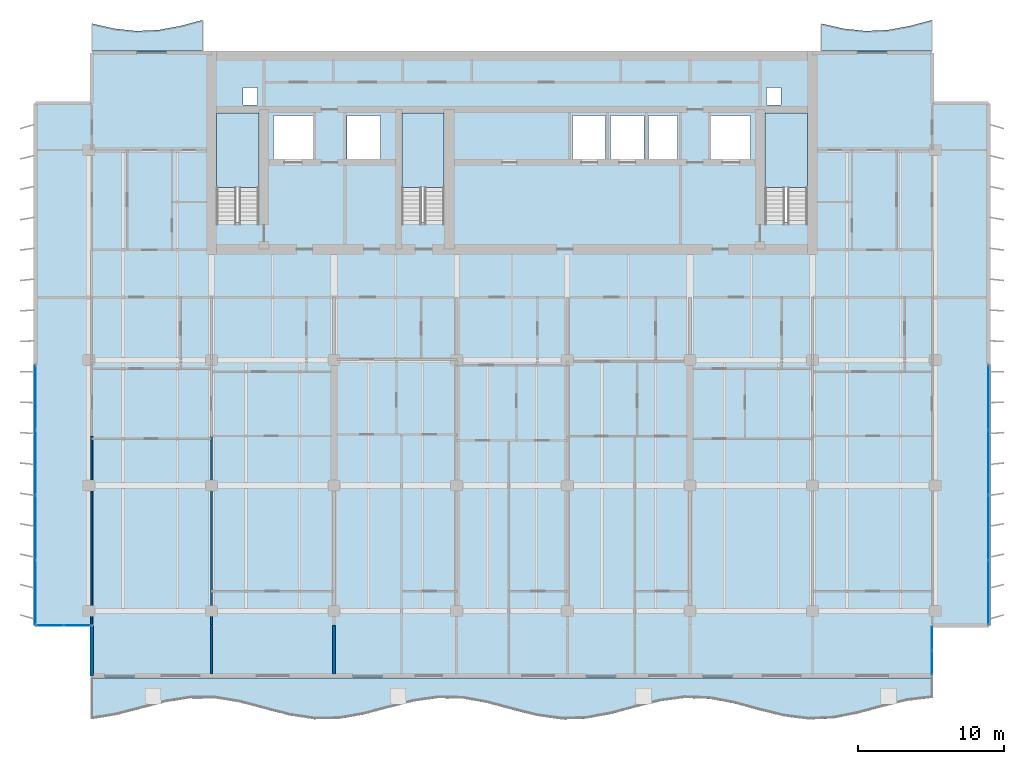
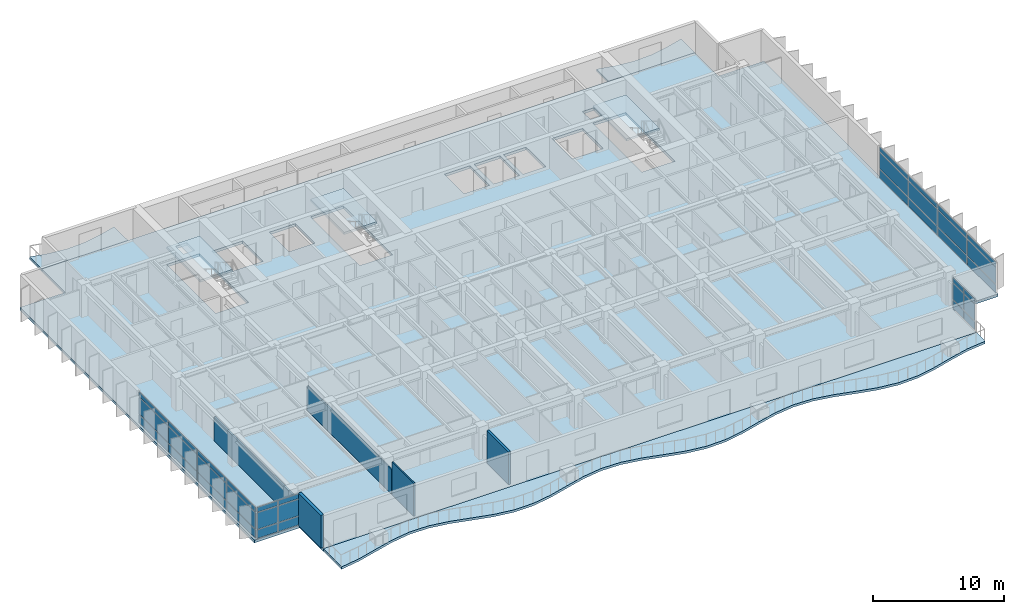
# One storey, part 7 of 19: 36 plates, 7 slabs, 5 walls, 7 elements without a shape of their own.
"""IFC4 building model written with IfcOpenShell, lengths in metres."""

from ifc_helpers import new_model, si_unit, direction, frame, frame_2d, origin, origin_2d, place, context, subcontext, project, spatial, polyline, rectangle, outline, extrude, material, layer, layer_set, type_object, element, aggregate, save


model = new_model("IFC4")

# Units and contexts
model_context = context("Model", 3, precision=1e-05, world=origin(), true_north=direction((0.0, 1.0)))
body_context = subcontext(model_context, "Body", "Model", "MODEL_VIEW")
ifc_project = project(units=[si_unit("LENGTHUNIT", "METRE"), si_unit("AREAUNIT", "SQUARE_METRE"), si_unit("VOLUMEUNIT", "CUBIC_METRE"), si_unit("PLANEANGLEUNIT", "RADIAN"), si_unit("MASSUNIT", "GRAM", prefix="KILO")], contexts=[model_context])

# Site, building, storey
site_placement = place(None, origin())
site = spatial("IfcSite", under=ifc_project, at=site_placement, CompositionType="ELEMENT")
building_placement = place(site_placement, origin())
building = spatial("IfcBuilding", under=site, at=building_placement, Name="Caelmar Bay Residences", CompositionType="ELEMENT")
storey_placement = place(building_placement, frame((0.0, 0.0, 167.10009765625)))
storey = spatial("IfcBuildingStorey", under=building, at=storey_placement, Name="L46", CompositionType="ELEMENT", Elevation=167.10009765625)

# Curtain wall, plates
ifc_material_1 = material(Name="Anodised bronze aluminium 6063-T6 and laminated glass", Category="aluminium")
ifc_layer_1 = layer(ifc_material_1, 0.179931640625)
ifc_layer_set_1 = layer_set([ifc_layer_1], Name="Anodised bronze aluminium 6063-T6 and laminated glass")
curtain_wall_type_1 = type_object("IfcCurtainWallType", Name="CW6-NTC", PredefinedType="NOTDEFINED", material=ifc_layer_set_1)
curtain_wall_1_placement = place(storey_placement, origin())
curtain_wall_1 = element("IfcCurtainWall", 1, at=curtain_wall_1_placement, inside=storey, type_object=curtain_wall_type_1, Name="CW6 curtain wall L46", PredefinedType="NOTDEFINED")
ifc_material_2 = material(Name="Bronze-tinted laminated low-E hurricane glass 28 mm", Category="glass")
ifc_layer_2 = layer(ifc_material_2, 0.028076171875)
ifc_layer_set_2 = layer_set([ifc_layer_2], Name="Bronze-tinted laminated low-E hurricane glass 28 mm")
plate_type = type_object("IfcPlateType", Name="CWP-GLZ28", PredefinedType="CURTAIN_PANEL", material=ifc_layer_set_2)
plate_1_placement = place(storey_placement, frame((7.232421875, 11.199951171875, 0.080078125), z_axis=(0.0, 0.0, 1.0), x_axis=(1.0, 0.0, 0.0)))
plate_1 = element("IfcPlate", 2, at=plate_1_placement, type_object=plate_type, Name="CW6 panel 1.1", PredefinedType="CURTAIN_PANEL", context=body_context, shape_type="SweptSolid", body=[
    extrude(rectangle(XDim=1.804931640625, YDim=0.028076171875, at=origin_2d()), origin(), (0.0, 0.0, 1.0), 0.780029296875),
])
plate_2_placement = place(storey_placement, frame((7.232421875, 11.199951171875, 0.93994140625), z_axis=(0.0, 0.0, 1.0), x_axis=(1.0, 0.0, 0.0)))
plate_2 = element("IfcPlate", 3, at=plate_2_placement, type_object=plate_type, Name="CW6 panel 1.2", PredefinedType="CURTAIN_PANEL", context=body_context, shape_type="SweptSolid", body=[
    extrude(rectangle(XDim=1.804931640625, YDim=0.028076171875, at=origin_2d()), origin(), (0.0, 0.0, 1.0), 1.52001953125),
])
plate_3_placement = place(storey_placement, frame((7.232421875, 11.199951171875, 2.5400390625), z_axis=(0.0, 0.0, 1.0), x_axis=(1.0, 0.0, 0.0)))
plate_3 = element("IfcPlate", 4, at=plate_3_placement, type_object=plate_type, Name="CW6 panel 1.3", PredefinedType="CURTAIN_PANEL", context=body_context, shape_type="SweptSolid", body=[
    extrude(rectangle(XDim=1.804931640625, YDim=0.028076171875, at=origin_2d()), origin(), (0.0, 0.0, 1.0), 0.429931640625),
])
plate_4_placement = place(storey_placement, frame((9.117431640625, 11.199951171875, 0.080078125), z_axis=(0.0, 0.0, 1.0), x_axis=(1.0, 0.0, 0.0)))
plate_4 = element("IfcPlate", 5, at=plate_4_placement, type_object=plate_type, Name="CW6 panel 2.1", PredefinedType="CURTAIN_PANEL", context=body_context, shape_type="SweptSolid", body=[
    extrude(rectangle(XDim=1.804931640625, YDim=0.028076171875, at=origin_2d()), origin(), (0.0, 0.0, 1.0), 0.780029296875),
])
plate_5_placement = place(storey_placement, frame((9.117431640625, 11.199951171875, 0.93994140625), z_axis=(0.0, 0.0, 1.0), x_axis=(1.0, 0.0, 0.0)))
plate_5 = element("IfcPlate", 6, at=plate_5_placement, type_object=plate_type, Name="CW6 panel 2.2", PredefinedType="CURTAIN_PANEL", context=body_context, shape_type="SweptSolid", body=[
    extrude(rectangle(XDim=1.804931640625, YDim=0.028076171875, at=origin_2d()), origin(), (0.0, 0.0, 1.0), 1.52001953125),
])
plate_6_placement = place(storey_placement, frame((9.117431640625, 11.199951171875, 2.5400390625), z_axis=(0.0, 0.0, 1.0), x_axis=(1.0, 0.0, 0.0)))
plate_6 = element("IfcPlate", 7, at=plate_6_placement, type_object=plate_type, Name="CW6 panel 2.3", PredefinedType="CURTAIN_PANEL", context=body_context, shape_type="SweptSolid", body=[
    extrude(rectangle(XDim=1.804931640625, YDim=0.028076171875, at=origin_2d()), origin(), (0.0, 0.0, 1.0), 0.429931640625),
])
aggregate(curtain_wall_1, [plate_1, plate_2, plate_3, plate_4, plate_5, plate_6])

curtain_wall_2_placement = place(storey_placement, origin())
curtain_wall_2 = element("IfcCurtainWall", 8, at=curtain_wall_2_placement, inside=storey, type_object=curtain_wall_type_1, Name="CW6 curtain wall L46", PredefinedType="NOTDEFINED")
plate_7_placement = place(storey_placement, frame((67.699951171875, 8.632568359375, 0.080078125), z_axis=(0.0, 0.0, 1.0), x_axis=(0.0, 1.0, 0.0)))
plate_7 = element("IfcPlate", 9, at=plate_7_placement, type_object=plate_type, Name="CW6 panel 1.1", PredefinedType="CURTAIN_PANEL", context=body_context, shape_type="SweptSolid", body=[
    extrude(rectangle(XDim=1.60498046875, YDim=0.028076171875, at=origin_2d()), origin(), (0.0, 0.0, 1.0), 0.780029296875),
])
plate_8_placement = place(storey_placement, frame((67.699951171875, 8.632568359375, 0.93994140625), z_axis=(0.0, 0.0, 1.0), x_axis=(0.0, 1.0, 0.0)))
plate_8 = element("IfcPlate", 10, at=plate_8_placement, type_object=plate_type, Name="CW6 panel 1.2", PredefinedType="CURTAIN_PANEL", context=body_context, shape_type="SweptSolid", body=[
    extrude(rectangle(XDim=1.60498046875, YDim=0.028076171875, at=origin_2d()), origin(), (0.0, 0.0, 1.0), 1.52001953125),
])
plate_9_placement = place(storey_placement, frame((67.699951171875, 8.632568359375, 2.5400390625), z_axis=(0.0, 0.0, 1.0), x_axis=(0.0, 1.0, 0.0)))
plate_9 = element("IfcPlate", 11, at=plate_9_placement, type_object=plate_type, Name="CW6 panel 1.3", PredefinedType="CURTAIN_PANEL", context=body_context, shape_type="SweptSolid", body=[
    extrude(rectangle(XDim=1.60498046875, YDim=0.028076171875, at=origin_2d()), origin(), (0.0, 0.0, 1.0), 0.429931640625),
])
plate_10_placement = place(storey_placement, frame((67.699951171875, 10.3173828125, 0.080078125), z_axis=(0.0, 0.0, 1.0), x_axis=(0.0, 1.0, 0.0)))
plate_10 = element("IfcPlate", 12, at=plate_10_placement, type_object=plate_type, Name="CW6 panel 2.1", PredefinedType="CURTAIN_PANEL", context=body_context, shape_type="SweptSolid", body=[
    extrude(rectangle(XDim=1.60498046875, YDim=0.028076171875, at=origin_2d()), origin(), (0.0, 0.0, 1.0), 0.780029296875),
])
plate_11_placement = place(storey_placement, frame((67.699951171875, 10.3173828125, 0.93994140625), z_axis=(0.0, 0.0, 1.0), x_axis=(0.0, 1.0, 0.0)))
plate_11 = element("IfcPlate", 13, at=plate_11_placement, type_object=plate_type, Name="CW6 panel 2.2", PredefinedType="CURTAIN_PANEL", context=body_context, shape_type="SweptSolid", body=[
    extrude(rectangle(XDim=1.60498046875, YDim=0.028076171875, at=origin_2d()), origin(), (0.0, 0.0, 1.0), 1.52001953125),
])
plate_12_placement = place(storey_placement, frame((67.699951171875, 10.3173828125, 2.5400390625), z_axis=(0.0, 0.0, 1.0), x_axis=(0.0, 1.0, 0.0)))
plate_12 = element("IfcPlate", 14, at=plate_12_placement, type_object=plate_type, Name="CW6 panel 2.3", PredefinedType="CURTAIN_PANEL", context=body_context, shape_type="SweptSolid", body=[
    extrude(rectangle(XDim=1.60498046875, YDim=0.028076171875, at=origin_2d()), origin(), (0.0, 0.0, 1.0), 0.429931640625),
])
aggregate(curtain_wall_2, [plate_7, plate_8, plate_9, plate_10, plate_11, plate_12])

ifc_layer_3 = layer(ifc_material_1, 0.179931640625)
ifc_layer_set_3 = layer_set([ifc_layer_3], Name="Anodised bronze aluminium 6063-T6 and laminated glass")
curtain_wall_type_2 = type_object("IfcCurtainWallType", Name="CW4-Z3", PredefinedType="NOTDEFINED", material=ifc_layer_set_3)
curtain_wall_3_placement = place(storey_placement, origin())
curtain_wall_3 = element("IfcCurtainWall", 15, at=curtain_wall_3_placement, inside=storey, type_object=curtain_wall_type_2, Name="CW4 curtain wall L46", PredefinedType="NOTDEFINED")
plate_13_placement = place(storey_placement, frame((6.25, 13.45751953125, 0.080078125), z_axis=(0.0, 0.0, 1.0), x_axis=(0.0, 1.0, 0.0)))
plate_13 = element("IfcPlate", 16, at=plate_13_placement, type_object=plate_type, Name="CW4 panel 1.1", PredefinedType="CURTAIN_PANEL", context=body_context, shape_type="SweptSolid", body=[
    extrude(rectangle(XDim=4.35498046875, YDim=0.028076171875, at=origin_2d()), origin(), (0.0, 0.0, 1.0), 0.780029296875),
])
plate_14_placement = place(storey_placement, frame((6.25, 13.45751953125, 0.93994140625), z_axis=(0.0, 0.0, 1.0), x_axis=(0.0, 1.0, 0.0)))
plate_14 = element("IfcPlate", 17, at=plate_14_placement, type_object=plate_type, Name="CW4 panel 1.2", PredefinedType="CURTAIN_PANEL", context=body_context, shape_type="SweptSolid", body=[
    extrude(rectangle(XDim=4.35498046875, YDim=0.028076171875, at=origin_2d()), origin(), (0.0, 0.0, 1.0), 1.52001953125),
])
plate_15_placement = place(storey_placement, frame((6.25, 13.45751953125, 2.5400390625), z_axis=(0.0, 0.0, 1.0), x_axis=(0.0, 1.0, 0.0)))
plate_15 = element("IfcPlate", 18, at=plate_15_placement, type_object=plate_type, Name="CW4 panel 1.3", PredefinedType="CURTAIN_PANEL", context=body_context, shape_type="SweptSolid", body=[
    extrude(rectangle(XDim=4.35498046875, YDim=0.028076171875, at=origin_2d()), origin(), (0.0, 0.0, 1.0), 0.429931640625),
])
plate_16_placement = place(storey_placement, frame((6.25, 17.91259765625, 0.080078125), z_axis=(0.0, 0.0, 1.0), x_axis=(0.0, 1.0, 0.0)))
plate_16 = element("IfcPlate", 19, at=plate_16_placement, type_object=plate_type, Name="CW4 panel 2.1", PredefinedType="CURTAIN_PANEL", context=body_context, shape_type="SweptSolid", body=[
    extrude(rectangle(XDim=4.39501953125, YDim=0.028076171875, at=origin_2d()), origin(), (0.0, 0.0, 1.0), 0.780029296875),
])
plate_17_placement = place(storey_placement, frame((6.25, 17.91259765625, 0.93994140625), z_axis=(0.0, 0.0, 1.0), x_axis=(0.0, 1.0, 0.0)))
plate_17 = element("IfcPlate", 20, at=plate_17_placement, type_object=plate_type, Name="CW4 panel 2.2", PredefinedType="CURTAIN_PANEL", context=body_context, shape_type="SweptSolid", body=[
    extrude(rectangle(XDim=4.39501953125, YDim=0.028076171875, at=origin_2d()), origin(), (0.0, 0.0, 1.0), 1.52001953125),
])
plate_18_placement = place(storey_placement, frame((6.25, 17.91259765625, 2.5400390625), z_axis=(0.0, 0.0, 1.0), x_axis=(0.0, 1.0, 0.0)))
plate_18 = element("IfcPlate", 21, at=plate_18_placement, type_object=plate_type, Name="CW4 panel 2.3", PredefinedType="CURTAIN_PANEL", context=body_context, shape_type="SweptSolid", body=[
    extrude(rectangle(XDim=4.39501953125, YDim=0.028076171875, at=origin_2d()), origin(), (0.0, 0.0, 1.0), 0.429931640625),
])
plate_19_placement = place(storey_placement, frame((6.25, 22.387451171875, 0.080078125), z_axis=(0.0, 0.0, 1.0), x_axis=(0.0, 1.0, 0.0)))
plate_19 = element("IfcPlate", 22, at=plate_19_placement, type_object=plate_type, Name="CW4 panel 3.1", PredefinedType="CURTAIN_PANEL", context=body_context, shape_type="SweptSolid", body=[
    extrude(rectangle(XDim=4.39501953125, YDim=0.028076171875, at=origin_2d()), origin(), (0.0, 0.0, 1.0), 0.780029296875),
])
plate_20_placement = place(storey_placement, frame((6.25, 22.387451171875, 0.93994140625), z_axis=(0.0, 0.0, 1.0), x_axis=(0.0, 1.0, 0.0)))
plate_20 = element("IfcPlate", 23, at=plate_20_placement, type_object=plate_type, Name="CW4 panel 3.2", PredefinedType="CURTAIN_PANEL", context=body_context, shape_type="SweptSolid", body=[
    extrude(rectangle(XDim=4.39501953125, YDim=0.028076171875, at=origin_2d()), origin(), (0.0, 0.0, 1.0), 1.52001953125),
])
plate_21_placement = place(storey_placement, frame((6.25, 22.387451171875, 2.5400390625), z_axis=(0.0, 0.0, 1.0), x_axis=(0.0, 1.0, 0.0)))
plate_21 = element("IfcPlate", 24, at=plate_21_placement, type_object=plate_type, Name="CW4 panel 3.3", PredefinedType="CURTAIN_PANEL", context=body_context, shape_type="SweptSolid", body=[
    extrude(rectangle(XDim=4.39501953125, YDim=0.028076171875, at=origin_2d()), origin(), (0.0, 0.0, 1.0), 0.429931640625),
])
plate_22_placement = place(storey_placement, frame((6.25, 26.842529296875, 0.080078125), z_axis=(0.0, 0.0, 1.0), x_axis=(0.0, 1.0, 0.0)))
plate_22 = element("IfcPlate", 25, at=plate_22_placement, type_object=plate_type, Name="CW4 panel 4.1", PredefinedType="CURTAIN_PANEL", context=body_context, shape_type="SweptSolid", body=[
    extrude(rectangle(XDim=4.35498046875, YDim=0.028076171875, at=origin_2d()), origin(), (0.0, 0.0, 1.0), 0.780029296875),
])
plate_23_placement = place(storey_placement, frame((6.25, 26.842529296875, 0.93994140625), z_axis=(0.0, 0.0, 1.0), x_axis=(0.0, 1.0, 0.0)))
plate_23 = element("IfcPlate", 26, at=plate_23_placement, type_object=plate_type, Name="CW4 panel 4.2", PredefinedType="CURTAIN_PANEL", context=body_context, shape_type="SweptSolid", body=[
    extrude(rectangle(XDim=4.35498046875, YDim=0.028076171875, at=origin_2d()), origin(), (0.0, 0.0, 1.0), 1.52001953125),
])
plate_24_placement = place(storey_placement, frame((6.25, 26.842529296875, 2.5400390625), z_axis=(0.0, 0.0, 1.0), x_axis=(0.0, 1.0, 0.0)))
plate_24 = element("IfcPlate", 27, at=plate_24_placement, type_object=plate_type, Name="CW4 panel 4.3", PredefinedType="CURTAIN_PANEL", context=body_context, shape_type="SweptSolid", body=[
    extrude(rectangle(XDim=4.35498046875, YDim=0.028076171875, at=origin_2d()), origin(), (0.0, 0.0, 1.0), 0.429931640625),
])
aggregate(curtain_wall_3, [plate_13, plate_14, plate_15, plate_16, plate_17, plate_18, plate_19, plate_20, plate_21, plate_22, plate_23, plate_24])

curtain_wall_4_placement = place(storey_placement, origin())
curtain_wall_4 = element("IfcCurtainWall", 28, at=curtain_wall_4_placement, inside=storey, type_object=curtain_wall_type_2, Name="CW4 curtain wall L46", PredefinedType="NOTDEFINED")
plate_25_placement = place(storey_placement, frame((71.550048828125, 26.842529296875, 0.080078125), z_axis=(0.0, 0.0, 1.0), x_axis=(0.0, -1.0, 0.0)))
plate_25 = element("IfcPlate", 29, at=plate_25_placement, type_object=plate_type, Name="CW4 panel 1.1", PredefinedType="CURTAIN_PANEL", context=body_context, shape_type="SweptSolid", body=[
    extrude(rectangle(XDim=4.35498046875, YDim=0.028076171875, at=origin_2d()), origin(), (0.0, 0.0, 1.0), 0.780029296875),
])
plate_26_placement = place(storey_placement, frame((71.550048828125, 26.842529296875, 0.93994140625), z_axis=(0.0, 0.0, 1.0), x_axis=(0.0, -1.0, 0.0)))
plate_26 = element("IfcPlate", 30, at=plate_26_placement, type_object=plate_type, Name="CW4 panel 1.2", PredefinedType="CURTAIN_PANEL", context=body_context, shape_type="SweptSolid", body=[
    extrude(rectangle(XDim=4.35498046875, YDim=0.028076171875, at=origin_2d()), origin(), (0.0, 0.0, 1.0), 1.52001953125),
])
plate_27_placement = place(storey_placement, frame((71.550048828125, 26.842529296875, 2.5400390625), z_axis=(0.0, 0.0, 1.0), x_axis=(0.0, -1.0, 0.0)))
plate_27 = element("IfcPlate", 31, at=plate_27_placement, type_object=plate_type, Name="CW4 panel 1.3", PredefinedType="CURTAIN_PANEL", context=body_context, shape_type="SweptSolid", body=[
    extrude(rectangle(XDim=4.35498046875, YDim=0.028076171875, at=origin_2d()), origin(), (0.0, 0.0, 1.0), 0.429931640625),
])
plate_28_placement = place(storey_placement, frame((71.550048828125, 22.387451171875, 0.080078125), z_axis=(0.0, 0.0, 1.0), x_axis=(0.0, -1.0, 0.0)))
plate_28 = element("IfcPlate", 32, at=plate_28_placement, type_object=plate_type, Name="CW4 panel 2.1", PredefinedType="CURTAIN_PANEL", context=body_context, shape_type="SweptSolid", body=[
    extrude(rectangle(XDim=4.39501953125, YDim=0.028076171875, at=origin_2d()), origin(), (0.0, 0.0, 1.0), 0.780029296875),
])
plate_29_placement = place(storey_placement, frame((71.550048828125, 22.387451171875, 0.93994140625), z_axis=(0.0, 0.0, 1.0), x_axis=(0.0, -1.0, 0.0)))
plate_29 = element("IfcPlate", 33, at=plate_29_placement, type_object=plate_type, Name="CW4 panel 2.2", PredefinedType="CURTAIN_PANEL", context=body_context, shape_type="SweptSolid", body=[
    extrude(rectangle(XDim=4.39501953125, YDim=0.028076171875, at=origin_2d()), origin(), (0.0, 0.0, 1.0), 1.52001953125),
])
plate_30_placement = place(storey_placement, frame((71.550048828125, 22.387451171875, 2.5400390625), z_axis=(0.0, 0.0, 1.0), x_axis=(0.0, -1.0, 0.0)))
plate_30 = element("IfcPlate", 34, at=plate_30_placement, type_object=plate_type, Name="CW4 panel 2.3", PredefinedType="CURTAIN_PANEL", context=body_context, shape_type="SweptSolid", body=[
    extrude(rectangle(XDim=4.39501953125, YDim=0.028076171875, at=origin_2d()), origin(), (0.0, 0.0, 1.0), 0.429931640625),
])
plate_31_placement = place(storey_placement, frame((71.550048828125, 17.91259765625, 0.080078125), z_axis=(0.0, 0.0, 1.0), x_axis=(0.0, -1.0, 0.0)))
plate_31 = element("IfcPlate", 35, at=plate_31_placement, type_object=plate_type, Name="CW4 panel 3.1", PredefinedType="CURTAIN_PANEL", context=body_context, shape_type="SweptSolid", body=[
    extrude(rectangle(XDim=4.39501953125, YDim=0.028076171875, at=origin_2d()), origin(), (0.0, 0.0, 1.0), 0.780029296875),
])
plate_32_placement = place(storey_placement, frame((71.550048828125, 17.91259765625, 0.93994140625), z_axis=(0.0, 0.0, 1.0), x_axis=(0.0, -1.0, 0.0)))
plate_32 = element("IfcPlate", 36, at=plate_32_placement, type_object=plate_type, Name="CW4 panel 3.2", PredefinedType="CURTAIN_PANEL", context=body_context, shape_type="SweptSolid", body=[
    extrude(rectangle(XDim=4.39501953125, YDim=0.028076171875, at=origin_2d()), origin(), (0.0, 0.0, 1.0), 1.52001953125),
])
plate_33_placement = place(storey_placement, frame((71.550048828125, 17.91259765625, 2.5400390625), z_axis=(0.0, 0.0, 1.0), x_axis=(0.0, -1.0, 0.0)))
plate_33 = element("IfcPlate", 37, at=plate_33_placement, type_object=plate_type, Name="CW4 panel 3.3", PredefinedType="CURTAIN_PANEL", context=body_context, shape_type="SweptSolid", body=[
    extrude(rectangle(XDim=4.39501953125, YDim=0.028076171875, at=origin_2d()), origin(), (0.0, 0.0, 1.0), 0.429931640625),
])
plate_34_placement = place(storey_placement, frame((71.550048828125, 13.45751953125, 0.080078125), z_axis=(0.0, 0.0, 1.0), x_axis=(0.0, -1.0, 0.0)))
plate_34 = element("IfcPlate", 38, at=plate_34_placement, type_object=plate_type, Name="CW4 panel 4.1", PredefinedType="CURTAIN_PANEL", context=body_context, shape_type="SweptSolid", body=[
    extrude(rectangle(XDim=4.35498046875, YDim=0.028076171875, at=origin_2d()), origin(), (0.0, 0.0, 1.0), 0.780029296875),
])
plate_35_placement = place(storey_placement, frame((71.550048828125, 13.45751953125, 0.93994140625), z_axis=(0.0, 0.0, 1.0), x_axis=(0.0, -1.0, 0.0)))
plate_35 = element("IfcPlate", 39, at=plate_35_placement, type_object=plate_type, Name="CW4 panel 4.2", PredefinedType="CURTAIN_PANEL", context=body_context, shape_type="SweptSolid", body=[
    extrude(rectangle(XDim=4.35498046875, YDim=0.028076171875, at=origin_2d()), origin(), (0.0, 0.0, 1.0), 1.52001953125),
])
plate_36_placement = place(storey_placement, frame((71.550048828125, 13.45751953125, 2.5400390625), z_axis=(0.0, 0.0, 1.0), x_axis=(0.0, -1.0, 0.0)))
plate_36 = element("IfcPlate", 40, at=plate_36_placement, type_object=plate_type, Name="CW4 panel 4.3", PredefinedType="CURTAIN_PANEL", context=body_context, shape_type="SweptSolid", body=[
    extrude(rectangle(XDim=4.35498046875, YDim=0.028076171875, at=origin_2d()), origin(), (0.0, 0.0, 1.0), 0.429931640625),
])
aggregate(curtain_wall_4, [plate_25, plate_26, plate_27, plate_28, plate_29, plate_30, plate_31, plate_32, plate_33, plate_34, plate_35, plate_36])

# Slabs
ifc_material_3 = material(Name="Concrete f'c 40 MPa (6,000 psi)", Category="concrete")
ifc_layer_4 = layer(ifc_material_3, 0.219970703125)
ifc_layer_set_4 = layer_set([ifc_layer_4], Name="Concrete f'c 40 MPa (6,000 psi)")
slab_type_1 = type_object("IfcSlabType", Name="SLB-BAL-220", PredefinedType="FLOOR", material=ifc_layer_set_4)
slab_1_placement = place(storey_placement, frame((0.0, 0.0, -0.22021484375)))
element("IfcSlab", 41, at=slab_1_placement, inside=storey, type_object=slab_type_1, Name="L46 Sinusoidal Tree-Balcony Slab south", PredefinedType="FLOOR", context=body_context, shape_type="SweptSolid", body=[
    extrude(outline(polyline([(10.10009765625, 4.78662109375), (11.794189453125, 5.0625), (13.48828125, 5.5078125), (15.182373046875, 5.950439453125), (16.87646484375, 6.218017578125), (18.570556640625, 6.206787109375), (20.2646484375, 5.92138671875), (21.958740234375, 5.472412109375), (23.65283203125, 5.033935546875), (25.34716796875, 4.776611328125), (27.041259765625, 4.7998046875), (28.7353515625, 5.09521484375), (30.429443359375, 5.547607421875), (32.12353515625, 5.9814453125), (33.817626953125, 6.228515625), (35.51171875, 6.192626953125), (37.205810546875, 5.88818359375), (38.89990234375, 5.432861328125), (40.593994140625, 5.003662109375), (42.2880859375, 4.76708984375), (43.982421875, 4.815185546875), (45.676513671875, 5.12890625), (47.37060546875, 5.5869140625), (49.064697265625, 6.010986328125), (50.7587890625, 6.23681640625), (52.452880859375, 6.176513671875), (54.147216796875, 5.853515625), (55.84130859375, 5.393310546875), (57.535400390625, 4.974609375), (59.2294921875, 4.759765625), (60.923583984375, 4.832275390625), (62.61767578125, 5.163818359375), (64.311767578125, 5.626220703125), (66.005859375, 6.039306640625), (67.699951171875, 6.2431640625), (67.699951171875, 7.60009765625), (10.10009765625, 7.60009765625), (10.10009765625, 4.78662109375)])), origin(), (0.0, 0.0, 1.0), 0.22021484375),
])
slab_2_placement = place(storey_placement, frame((0.0, 0.0, -0.22021484375)))
element("IfcSlab", 42, at=slab_2_placement, inside=storey, type_object=slab_type_1, Name="L46 Sinusoidal Tree-Balcony Slab north_west", PredefinedType="FLOOR", context=body_context, shape_type="SweptSolid", body=[
    extrude(outline(polyline([(10.10009765625, 50.60009765625), (17.699951171875, 50.60009765625), (17.699951171875, 52.711181640625), (16.179931640625, 52.3056640625), (14.659912109375, 52.0244140625), (13.139892578125, 51.955322265625), (11.6201171875, 52.12060546875), (10.10009765625, 52.46826171875), (10.10009765625, 50.60009765625)])), origin(), (0.0, 0.0, 1.0), 0.22021484375),
])
slab_3_placement = place(storey_placement, frame((0.0, 0.0, -0.22021484375)))
element("IfcSlab", 43, at=slab_3_placement, inside=storey, type_object=slab_type_1, Name="L46 Sinusoidal Tree-Balcony Slab north_east", PredefinedType="FLOOR", context=body_context, shape_type="SweptSolid", body=[
    extrude(outline(polyline([(60.10009765625, 50.60009765625), (67.699951171875, 50.60009765625), (67.699951171875, 52.711181640625), (66.179931640625, 52.3056640625), (64.659912109375, 52.0244140625), (63.139892578125, 51.955322265625), (61.6201171875, 52.12060546875), (60.10009765625, 52.46826171875), (60.10009765625, 50.60009765625)])), origin(), (0.0, 0.0, 1.0), 0.22021484375),
])

# Stair, slab
stair_type = type_object("IfcStairType", Name="ST-TYP-165", PredefinedType="HALF_TURN_STAIR", material=ifc_material_3)
stair_1_placement = place(storey_placement, origin())
stair_1 = element("IfcStair", 44, at=stair_1_placement, inside=storey, type_object=stair_type, Name="L46 West Smokeproof Exit Stair ST1", PredefinedType="HALF_TURN_STAIR")
ifc_layer_5 = layer(ifc_material_3, 0.199951171875)
ifc_layer_set_5 = layer_set([ifc_layer_5], Name="Concrete f'c 40 MPa (6,000 psi)")
slab_type_2 = type_object("IfcSlabType", Name="SLB-LND-200", PredefinedType="LANDING", material=ifc_layer_set_5)
slab_4_placement = place(storey_placement, frame((0.0, 0.0, 1.449951171875)))
slab_4 = element("IfcSlab", 45, at=slab_4_placement, type_object=slab_type_2, Name="ST1 landing 1", PredefinedType="LANDING", context=body_context, shape_type="SweptSolid", body=[
    extrude(outline(polyline([(21.550048828125, 41.219970703125), (21.550048828125, 46.35009765625), (18.64990234375, 46.35009765625), (18.64990234375, 41.219970703125), (21.550048828125, 41.219970703125)])), origin(), (0.0, 0.0, 1.0), 0.199951171875),
])
aggregate(stair_1, [slab_4])

stair_2_placement = place(storey_placement, origin())
stair_2 = element("IfcStair", 46, at=stair_2_placement, inside=storey, type_object=stair_type, Name="L46 East Smokeproof Exit Stair ST2", PredefinedType="HALF_TURN_STAIR")
slab_5_placement = place(storey_placement, frame((0.0, 0.0, 1.449951171875)))
slab_5 = element("IfcSlab", 47, at=slab_5_placement, type_object=slab_type_2, Name="ST2 landing 1", PredefinedType="LANDING", context=body_context, shape_type="SweptSolid", body=[
    extrude(outline(polyline([(59.14990234375, 41.219970703125), (59.14990234375, 46.35009765625), (56.25, 46.35009765625), (56.25, 41.219970703125), (59.14990234375, 41.219970703125)])), origin(), (0.0, 0.0, 1.0), 0.199951171875),
])
aggregate(stair_2, [slab_5])

stair_3_placement = place(storey_placement, origin())
stair_3 = element("IfcStair", 48, at=stair_3_placement, inside=storey, type_object=stair_type, Name="L46 Central Smokeproof Exit Stair ST3", PredefinedType="HALF_TURN_STAIR")
slab_6_placement = place(storey_placement, frame((0.0, 0.0, 1.449951171875)))
slab_6 = element("IfcSlab", 49, at=slab_6_placement, type_object=slab_type_2, Name="ST3 landing 1", PredefinedType="LANDING", context=body_context, shape_type="SweptSolid", body=[
    extrude(outline(polyline([(34.25, 41.219970703125), (34.25, 46.35009765625), (31.35009765625, 46.35009765625), (31.35009765625, 41.219970703125), (34.25, 41.219970703125)])), origin(), (0.0, 0.0, 1.0), 0.199951171875),
])
aggregate(stair_3, [slab_6])

# Slab
ifc_layer_6 = layer(ifc_material_3, 0.25)
ifc_layer_set_6 = layer_set([ifc_layer_6], Name="Concrete f'c 40 MPa (6,000 psi)")
slab_type_3 = type_object("IfcSlabType", Name="SLB-RES-250", PredefinedType="FLOOR", material=ifc_layer_set_6)
slab_7_placement = place(storey_placement, frame((0.0, 0.0, -0.25)))
element("IfcSlab", 50, at=slab_7_placement, inside=storey, type_object=slab_type_3, Name="L46 Structural Floor Slab", PredefinedType="FLOOR", context=body_context, shape_type="SweptSolid", body=[
    extrude(outline(polyline([(10.10009765625, 7.60009765625), (67.699951171875, 7.60009765625), (67.699951171875, 11.199951171875), (71.699951171875, 11.199951171875), (71.699951171875, 47.0), (67.699951171875, 47.0), (67.699951171875, 50.60009765625), (10.10009765625, 50.60009765625), (10.10009765625, 47.0), (6.10009765625, 47.0), (6.10009765625, 11.199951171875), (10.10009765625, 11.199951171875), (10.10009765625, 7.60009765625)]), holes=[polyline([(18.64990234375, 38.85009765625), (21.550048828125, 38.85009765625), (21.550048828125, 46.35009765625), (18.64990234375, 46.35009765625), (18.64990234375, 38.85009765625)]), polyline([(56.25, 38.85009765625), (59.14990234375, 38.85009765625), (59.14990234375, 46.35009765625), (56.25, 46.35009765625), (56.25, 38.85009765625)]), polyline([(31.35009765625, 38.85009765625), (34.25, 38.85009765625), (34.25, 46.35009765625), (31.35009765625, 46.35009765625), (31.35009765625, 38.85009765625)]), polyline([(22.550048828125, 43.050048828125), (25.25, 43.050048828125), (25.25, 46.14990234375), (22.550048828125, 46.14990234375), (22.550048828125, 43.050048828125)]), polyline([(52.550048828125, 43.050048828125), (55.25, 43.050048828125), (55.25, 46.14990234375), (52.550048828125, 46.14990234375), (52.550048828125, 43.050048828125)]), polyline([(43.050048828125, 43.14990234375), (45.300048828125, 43.14990234375), (45.300048828125, 46.14990234375), (43.050048828125, 46.14990234375), (43.050048828125, 43.14990234375)]), polyline([(45.64990234375, 43.14990234375), (47.949951171875, 43.14990234375), (47.949951171875, 46.14990234375), (45.64990234375, 46.14990234375), (45.64990234375, 43.14990234375)]), polyline([(48.25, 43.14990234375), (50.25, 43.14990234375), (50.25, 46.14990234375), (48.25, 46.14990234375), (48.25, 43.14990234375)]), polyline([(27.60009765625, 43.14990234375), (29.89990234375, 43.14990234375), (29.89990234375, 46.14990234375), (27.60009765625, 46.14990234375), (27.60009765625, 43.14990234375)]), polyline([(20.449951171875, 46.89990234375), (21.449951171875, 46.89990234375), (21.449951171875, 48.10009765625), (20.449951171875, 48.10009765625), (20.449951171875, 46.89990234375)]), polyline([(56.35009765625, 46.89990234375), (57.35009765625, 46.89990234375), (57.35009765625, 48.10009765625), (56.35009765625, 48.10009765625), (56.35009765625, 46.89990234375)])]), origin(), (0.0, 0.0, 1.0), 0.25),
])

# Walls
ifc_material_4 = material(Name="Precast concrete f'c 40 MPa (6,000 psi)", Category="concrete")
ifc_layer_7 = layer(ifc_material_4, 0.25)
ifc_layer_set_7 = layer_set([ifc_layer_7], Name="Precast concrete f'c 40 MPa (6,000 psi)")
wall_type_1 = type_object("IfcWallType", Name="W-EXT-250", PredefinedType="ELEMENTEDWALL", material=ifc_layer_set_7)
wall_1_placement = place(storey_placement, frame((10.10009765625, 11.199951171875, 0.0), z_axis=(0.0, 0.0, 1.0), x_axis=(0.0, -1.0, 0.0)))
element("IfcWall", 51, at=wall_1_placement, inside=storey, type_object=wall_type_1, Name="L46 SW Notch Return Wall", PredefinedType="ELEMENTEDWALL", context=body_context, shape_type="SweptSolid", body=[
    extrude(rectangle(XDim=3.449951171875, YDim=0.25, at=frame_2d((1.72509765625, 0.0))), origin(), (0.0, 0.0, 1.0), 3.0498046875),
])
ifc_material_5 = material(Name="Acoustic metal-stud gypsum partition 120 mm")
ifc_layer_8 = layer(ifc_material_5, 0.1201171875)
ifc_layer_set_8 = layer_set([ifc_layer_8], Name="Acoustic metal-stud gypsum partition 120 mm")
wall_type_2 = type_object("IfcWallType", Name="W-PRT-120", PredefinedType="PARTITIONING", material=ifc_layer_set_8)
wall_2_placement = place(storey_placement, frame((10.10009765625, 11.284912109375, 0.0), z_axis=(0.0, 0.0, 1.0), x_axis=(0.0, 1.0, 0.0)))
element("IfcWall", 52, at=wall_2_placement, inside=storey, type_object=wall_type_2, Name="L46 Partition Wall V001", PredefinedType="PARTITIONING", context=body_context, shape_type="SweptSolid", body=[
    extrude(rectangle(XDim=12.885009765625, YDim=0.1201171875, at=frame_2d((6.4423828125, 0.0))), origin(), (0.0, 0.0, 1.0), 2.262939453125),
])
wall_3_placement = place(storey_placement, frame((18.300048828125, 7.89501953125, 0.0), z_axis=(0.0, 0.0, 1.0), x_axis=(0.0, 1.0, 0.0)))
element("IfcWall", 53, at=wall_3_placement, inside=storey, type_object=wall_type_2, Name="L46 Partition Wall V013", PredefinedType="PARTITIONING", context=body_context, shape_type="SweptSolid", body=[
    extrude(rectangle(XDim=3.304931640625, YDim=0.1201171875, at=frame_2d((1.65234375, 0.0))), origin(), (0.0, 0.0, 1.0), 3.0498046875),
])
wall_4_placement = place(storey_placement, frame((18.300048828125, 11.239990234375, 0.0), z_axis=(0.0, 0.0, 1.0), x_axis=(0.0, 1.0, 0.0)))
element("IfcWall", 54, at=wall_4_placement, inside=storey, type_object=wall_type_2, Name="L46 Partition Wall V014", PredefinedType="PARTITIONING", context=body_context, shape_type="SweptSolid", body=[
    extrude(rectangle(XDim=12.929931640625, YDim=0.1201171875, at=frame_2d((6.46484375, 0.0))), origin(), (0.0, 0.0, 1.0), 2.262939453125),
])
ifc_material_6 = material(Name="Acoustic twin-stud fire-rated inter-tenancy partition 200 mm")
ifc_layer_9 = layer(ifc_material_6, 0.199951171875)
ifc_layer_set_9 = layer_set([ifc_layer_9], Name="Acoustic twin-stud fire-rated inter-tenancy partition 200 mm")
wall_type_3 = type_object("IfcWallType", Name="W-PTY-200", PredefinedType="PARTITIONING", material=ifc_layer_set_9)
wall_5_placement = place(storey_placement, frame((26.699951171875, 7.89501953125, 0.0), z_axis=(0.0, 0.0, 1.0), x_axis=(0.0, 1.0, 0.0)))
element("IfcWall", 55, at=wall_5_placement, inside=storey, type_object=wall_type_3, Name="L46 Partition Wall V024", PredefinedType="PARTITIONING", context=body_context, shape_type="SweptSolid", body=[
    extrude(rectangle(XDim=3.304931640625, YDim=0.199951171875, at=frame_2d((1.65234375, 0.0))), origin(), (0.0, 0.0, 1.0), 3.0498046875),
])

save(model, "model.ifc")
